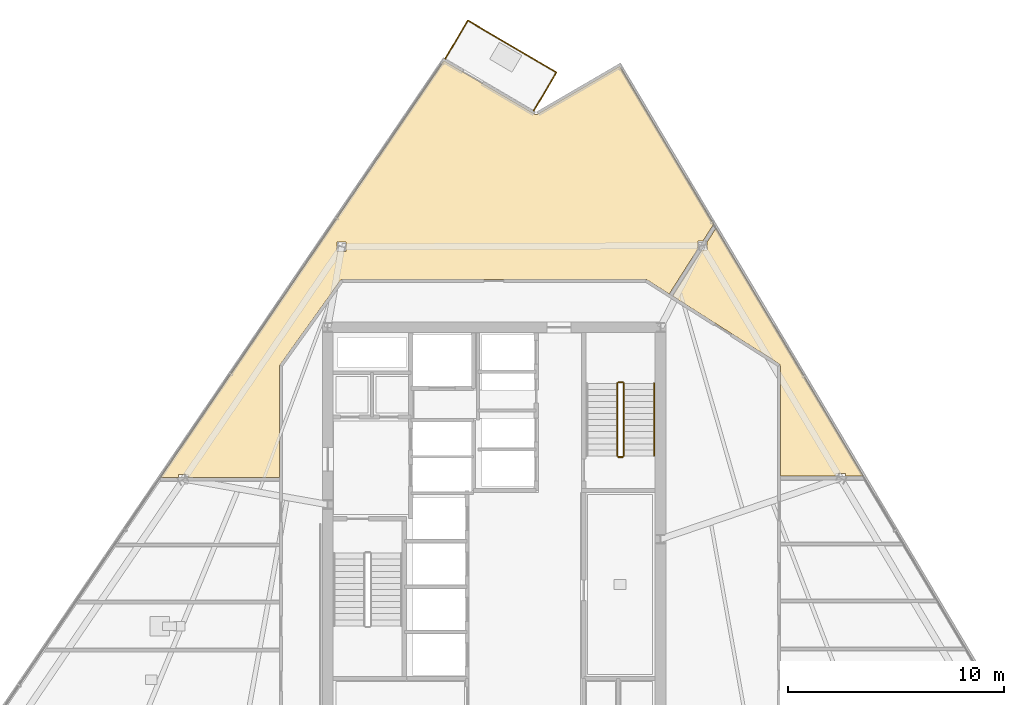
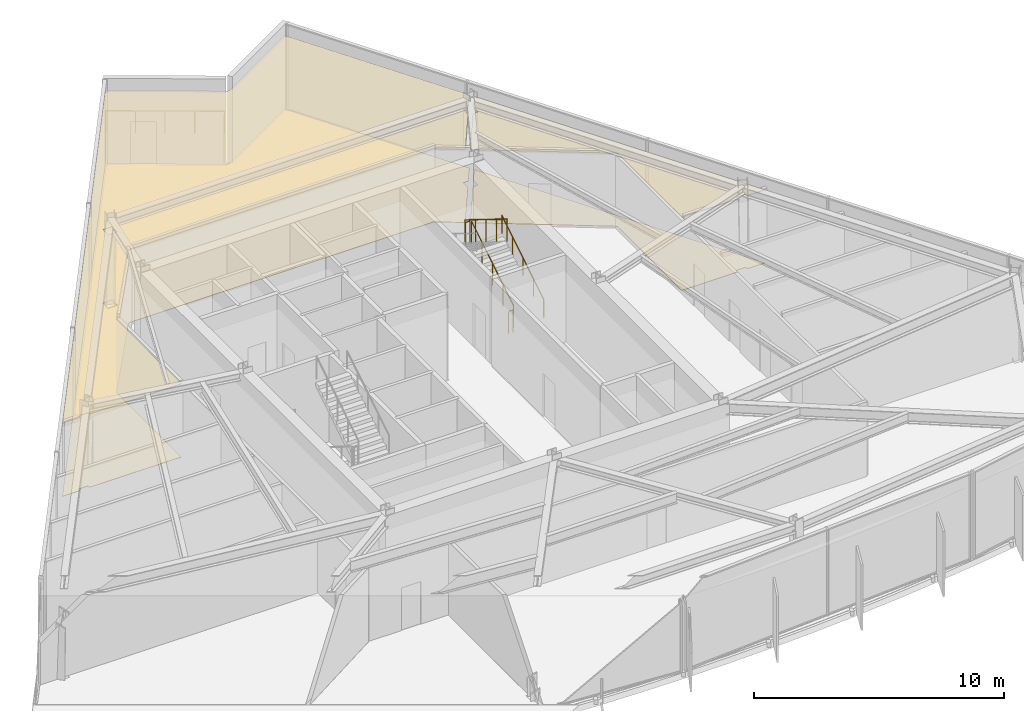
# One storey, part 13 of 14: 8 railings, 4 coverings.
"""IFC4 building model written with IfcOpenShell, lengths in metres."""

from ifc_helpers import new_model, si_unit, direction, frame, origin, origin_2d, place, context, subcontext, project, spatial, polyline, circle, outline, extrude, material, layer, layer_set, type_object, element, save


model = new_model("IFC4")

# Units and contexts
model_context = context("Model", 3, precision=1e-05, world=origin(), true_north=direction((0.0, 1.0)))
body_context = subcontext(model_context, "Body", "Model", "MODEL_VIEW")
ifc_project = project(units=[si_unit("LENGTHUNIT", "METRE"), si_unit("AREAUNIT", "SQUARE_METRE"), si_unit("VOLUMEUNIT", "CUBIC_METRE"), si_unit("PLANEANGLEUNIT", "RADIAN"), si_unit("MASSUNIT", "GRAM", prefix="KILO")], contexts=[model_context])

# Site, building, storey
site_placement = place(None, origin())
site = spatial("IfcSite", under=ifc_project, at=site_placement, CompositionType="ELEMENT")
building_placement = place(site_placement, origin())
building = spatial("IfcBuilding", under=site, at=building_placement, Name="Savorim Split Tower", CompositionType="ELEMENT")
storey_placement = place(building_placement, frame((0.0, 0.0, 134.10009765625)))
storey = spatial("IfcBuildingStorey", under=building, at=storey_placement, Name="L35", CompositionType="ELEMENT", Elevation=134.10009765625)

# Coverings
ifc_material_1 = material(Name="Mineral Fibre Acoustic Ceiling")
ifc_layer_1 = layer(ifc_material_1, 0.02490234375)
ifc_layer_set_1 = layer_set([ifc_layer_1], Name="COV-CEIL-25")
covering_type_1 = type_object("IfcCoveringType", Name="COV-CEIL-25", PredefinedType="CEILING", material=ifc_layer_set_1)
covering_1_placement = place(storey_placement, frame((0.0, 0.0, 3.56982421875)))
element("IfcCovering", 1, at=covering_1_placement, inside=storey, type_object=covering_type_1, Name="L35 Co-Working Commons Acoustic Ceiling", PredefinedType="CEILING", context=body_context, shape_type="SweptSolid", body=[
    extrude(outline(polyline([(16.252197265625, 3.428955078125), (16.252197265625, 3.310546875), (17.08642578125, 3.310546875), (17.088134765625, 3.310546875), (10.264404296875, 14.7861328125), (9.851318359375, 14.13671875), (9.851318359375, 13.766845703125), (9.6162109375, 13.766845703125), (8.264404296875, 11.6416015625), (8.264404296875, 11.6416015625), (13.175048828125, 8.51806640625), (13.1865234375, 8.510009765625), (13.197265625, 8.500732421875), (13.206787109375, 8.490478515625), (13.21533203125, 8.479248046875), (13.22265625, 8.46728515625), (13.22900390625, 8.45458984375), (13.233642578125, 8.44140625), (13.2373046875, 8.427978515625), (13.2392578125, 8.4140625), (13.239990234375, 8.39990234375), (13.239990234375, 3.310546875), (15.828369140625, 3.310546875), (15.828369140625, 3.428955078125), (16.252197265625, 3.428955078125)])), origin(), (0.0, 0.0, 1.0), 0.025146484375),
])
covering_2_placement = place(storey_placement, frame((0.0, 0.0, 3.56982421875)))
element("IfcCovering", 2, at=covering_2_placement, inside=storey, type_object=covering_type_1, Name="L35 Co-Working Commons Acoustic Ceiling", PredefinedType="CEILING", context=body_context, shape_type="SweptSolid", body=[
    extrude(outline(polyline([(1.90380859375, 20.049560546875), (1.89306640625, 20.053955078125), (1.8828125, 20.059326171875), (-2.322021484375, 22.530517578125), (-15.430419921875, 3.26171875), (-14.5927734375, 3.26171875), (-14.5927734375, 3.380126953125), (-14.168701171875, 3.380126953125), (-14.168701171875, 3.26171875), (-9.919921875, 3.26171875), (-9.919921875, 8.39990234375), (-9.919189453125, 8.41455078125), (-9.9169921875, 8.4287109375), (-9.913330078125, 8.44287109375), (-9.908203125, 8.456298828125), (-9.901611328125, 8.46923828125), (-9.893798828125, 8.4814453125), (-7.11376953125, 12.361572265625), (-7.105712890625, 12.3720703125), (-7.096435546875, 12.381591796875), (-7.086181640625, 12.39013671875), (-7.075439453125, 12.39794921875), (-7.06396484375, 12.404541015625), (-7.052001953125, 12.409912109375), (-7.039306640625, 12.414306640625), (-7.0263671875, 12.41748046875), (-7.01318359375, 12.41943359375), (-7.0, 12.419921875), (7.0, 12.419921875), (7.01318359375, 12.41943359375), (7.0263671875, 12.41748046875), (7.0390625, 12.414306640625), (7.051513671875, 12.41015625), (7.063720703125, 12.40478515625), (7.0751953125, 12.398193359375), (8.10400390625, 11.74365234375), (9.42724609375, 13.823974609375), (9.42724609375, 14.19384765625), (9.66259765625, 14.19384765625), (10.099853515625, 14.88134765625), (10.15087890625, 14.96142578125), (10.165771484375, 14.951904296875), (5.81005859375, 22.27734375), (2.00390625, 20.05908203125), (1.993896484375, 20.0537109375), (1.983154296875, 20.049560546875), (1.971923828125, 20.046142578125), (1.960693359375, 20.0439453125), (1.94921875, 20.04296875), (1.9375, 20.04296875), (1.926025390625, 20.044189453125), (1.914794921875, 20.04638671875), (1.90380859375, 20.049560546875)]), holes=[polyline([(-6.845703125, 14.14501953125), (-7.269775390625, 14.14501953125), (-7.269775390625, 13.718017578125), (-6.845703125, 13.718017578125), (-6.845703125, 14.14501953125)])]), origin(), (0.0, 0.0, 1.0), 0.025146484375),
])
ifc_material_2 = material(Name="Porcelain Stoneware Flooring", Category="masonry")
ifc_layer_2 = layer(ifc_material_2, 0.02001953125)
ifc_layer_set_2 = layer_set([ifc_layer_2], Name="COV-FLOR-20")
covering_type_2 = type_object("IfcCoveringType", Name="COV-FLOR-20", PredefinedType="FLOORING", material=ifc_layer_set_2)
covering_3_placement = place(storey_placement, origin())
element("IfcCovering", 3, at=covering_3_placement, inside=storey, type_object=covering_type_2, Name="L35 Co-Working Commons Porcelain Flooring", PredefinedType="FLOORING", context=body_context, shape_type="SweptSolid", body=[
    extrude(outline(polyline([(16.252197265625, 3.428955078125), (16.252197265625, 3.310546875), (17.08642578125, 3.310546875), (17.088134765625, 3.310546875), (10.264404296875, 14.7861328125), (9.851318359375, 14.13671875), (9.851318359375, 13.766845703125), (9.6162109375, 13.766845703125), (8.264404296875, 11.6416015625), (8.264404296875, 11.6416015625), (13.175048828125, 8.51806640625), (13.1865234375, 8.510009765625), (13.197265625, 8.500732421875), (13.206787109375, 8.490478515625), (13.21533203125, 8.479248046875), (13.22265625, 8.46728515625), (13.22900390625, 8.45458984375), (13.233642578125, 8.44140625), (13.2373046875, 8.427978515625), (13.2392578125, 8.4140625), (13.239990234375, 8.39990234375), (13.239990234375, 3.310546875), (15.828369140625, 3.310546875), (15.828369140625, 3.428955078125), (16.252197265625, 3.428955078125)])), origin(), (0.0, 0.0, 1.0), 0.02001953125),
])
covering_4_placement = place(storey_placement, origin())
element("IfcCovering", 4, at=covering_4_placement, inside=storey, type_object=covering_type_2, Name="L35 Co-Working Commons Porcelain Flooring", PredefinedType="FLOORING", context=body_context, shape_type="SweptSolid", body=[
    extrude(outline(polyline([(1.90380859375, 20.049560546875), (1.89306640625, 20.053955078125), (1.8828125, 20.059326171875), (-2.322021484375, 22.530517578125), (-15.430419921875, 3.26171875), (-14.5927734375, 3.26171875), (-14.5927734375, 3.380126953125), (-14.168701171875, 3.380126953125), (-14.168701171875, 3.26171875), (-9.919921875, 3.26171875), (-9.919921875, 8.39990234375), (-9.919189453125, 8.41455078125), (-9.9169921875, 8.4287109375), (-9.913330078125, 8.44287109375), (-9.908203125, 8.456298828125), (-9.901611328125, 8.46923828125), (-9.893798828125, 8.4814453125), (-7.11376953125, 12.361572265625), (-7.105712890625, 12.3720703125), (-7.096435546875, 12.381591796875), (-7.086181640625, 12.39013671875), (-7.075439453125, 12.39794921875), (-7.06396484375, 12.404541015625), (-7.052001953125, 12.409912109375), (-7.039306640625, 12.414306640625), (-7.0263671875, 12.41748046875), (-7.01318359375, 12.41943359375), (-7.0, 12.419921875), (7.0, 12.419921875), (7.01318359375, 12.41943359375), (7.0263671875, 12.41748046875), (7.0390625, 12.414306640625), (7.051513671875, 12.41015625), (7.063720703125, 12.40478515625), (7.0751953125, 12.398193359375), (8.10400390625, 11.74365234375), (9.42724609375, 13.823974609375), (9.42724609375, 14.19384765625), (9.66259765625, 14.19384765625), (10.099853515625, 14.88134765625), (10.15087890625, 14.96142578125), (10.165771484375, 14.951904296875), (5.81005859375, 22.27734375), (2.00390625, 20.05908203125), (1.993896484375, 20.0537109375), (1.983154296875, 20.049560546875), (1.971923828125, 20.046142578125), (1.960693359375, 20.0439453125), (1.94921875, 20.04296875), (1.9375, 20.04296875), (1.926025390625, 20.044189453125), (1.914794921875, 20.04638671875), (1.90380859375, 20.049560546875)]), holes=[polyline([(-6.845703125, 14.14501953125), (-7.269775390625, 14.14501953125), (-7.269775390625, 13.718017578125), (-6.845703125, 13.718017578125), (-6.845703125, 14.14501953125)])]), origin(), (0.0, 0.0, 1.0), 0.02001953125),
])

# Railings
ifc_material_3 = material(Name="Galvanised Painted Steel Balustrade", Category="steel")
railing_type_1 = type_object("IfcRailingType", Name="RLG-BAL-1100", PredefinedType="BALUSTRADE", material=ifc_material_3)
railing_1_placement = place(storey_placement, frame((-2.254638671875, 22.630126953125, 0.0)))
element("IfcRailing", 5, at=railing_1_placement, inside=storey, type_object=railing_type_1, Name="L35 Tree Balcony Guardrail N-1", PredefinedType="BALUSTRADE", context=body_context, shape_type="SweptSolid", body=[
    extrude(circle(Radius=0.02392578125, at=origin_2d()), frame((0.0, 0.0, 1.076171875), z_axis=(0.506681829236, 0.862133124246, 0.0), x_axis=(-0.862133124246, 0.506681829236, 0.0)), (0.0, 0.0, 1.0), 2.05029296875),
    extrude(circle(Radius=0.02099609375, at=origin_2d()), origin(), (0.0, 0.0, 1.0), 1.052001953125),
    extrude(circle(Radius=0.02099609375, at=origin_2d()), frame((0.51953125, 0.8837890625, 0.0)), (0.0, 0.0, 1.0), 1.052001953125),
    extrude(circle(Radius=0.02099609375, at=origin_2d()), frame((1.038818359375, 1.767578125, 0.0)), (0.0, 0.0, 1.0), 1.052001953125),
])
railing_2_placement = place(storey_placement, frame((-1.2158203125, 24.397705078125, 0.0)))
element("IfcRailing", 6, at=railing_2_placement, inside=storey, type_object=railing_type_1, Name="L35 Tree Balcony Guardrail N-2", PredefinedType="BALUSTRADE", context=body_context, shape_type="SweptSolid", body=[
    extrude(circle(Radius=0.02392578125, at=origin_2d()), frame((0.0, 0.0, 1.076171875), z_axis=(0.862111227973, -0.506719084507, 0.0), x_axis=(0.506719084507, 0.862111227973, 0.0)), (0.0, 0.0, 1.0), 4.749755859375),
    extrude(circle(Radius=0.02099609375, at=origin_2d()), origin(), (0.0, 0.0, 1.0), 1.052001953125),
    extrude(circle(Radius=0.02099609375, at=origin_2d()), frame((1.023681640625, -0.6015625, 0.0)), (0.0, 0.0, 1.0), 1.052001953125),
    extrude(circle(Radius=0.02099609375, at=origin_2d()), frame((2.04736328125, -1.203369140625, 0.0)), (0.0, 0.0, 1.0), 1.052001953125),
    extrude(circle(Radius=0.02099609375, at=origin_2d()), frame((3.071044921875, -1.80517578125, 0.0)), (0.0, 0.0, 1.0), 1.052001953125),
    extrude(circle(Radius=0.02099609375, at=origin_2d()), frame((4.0947265625, -2.40673828125, 0.0)), (0.0, 0.0, 1.0), 1.052001953125),
])
railing_3_placement = place(storey_placement, frame((2.87890625, 21.990966796875, 0.0)))
element("IfcRailing", 7, at=railing_3_placement, inside=storey, type_object=railing_type_1, Name="L35 Tree Balcony Guardrail N-3", PredefinedType="BALUSTRADE", context=body_context, shape_type="SweptSolid", body=[
    extrude(circle(Radius=0.02392578125, at=origin_2d()), frame((0.0, 0.0, 1.076171875), z_axis=(-0.506733850669, -0.862102548764, 0.0), x_axis=(0.862102548764, -0.506733850669, 0.0)), (0.0, 0.0, 1.0), 2.050048828125),
    extrude(circle(Radius=0.02099609375, at=origin_2d()), origin(), (0.0, 0.0, 1.0), 1.052001953125),
    extrude(circle(Radius=0.02099609375, at=origin_2d()), frame((-0.51953125, -0.8837890625, 0.0)), (0.0, 0.0, 1.0), 1.052001953125),
    extrude(circle(Radius=0.02099609375, at=origin_2d()), frame((-1.038818359375, -1.767333984375, 0.0)), (0.0, 0.0, 1.0), 1.052001953125),
])
railing_type_2 = type_object("IfcRailingType", Name="RLG-HR-900", PredefinedType="HANDRAIL", material=ifc_material_3)
railing_4_placement = place(storey_placement, frame((7.39990234375, 4.25, 0.173095703125)))
element("IfcRailing", 8, at=railing_4_placement, inside=storey, type_object=railing_type_2, Name="L35 ST-2 stair handrail 1", PredefinedType="HANDRAIL", context=body_context, shape_type="SweptSolid", body=[
    extrude(circle(Radius=0.02392578125, at=origin_2d()), frame((0.0, 0.0, 0.8759765625), z_axis=(0.0, 0.850623216509, 0.525775754039), x_axis=(-1.0, 0.0, 0.0)), (0.0, 0.0, 1.0), 3.9501953125),
    extrude(circle(Radius=0.02099609375, at=origin_2d()), origin(), (0.0, 0.0, 1.0), 0.851806640625),
    extrude(circle(Radius=0.02099609375, at=origin_2d()), frame((0.0, 0.840087890625, 0.519287109375)), (0.0, 0.0, 1.0), 0.851806640625),
    extrude(circle(Radius=0.02099609375, at=origin_2d()), frame((0.0, 1.68017578125, 1.03857421875)), (0.0, 0.0, 1.0), 0.851806640625),
    extrude(circle(Radius=0.02099609375, at=origin_2d()), frame((0.0, 2.52001953125, 1.5576171875)), (0.0, 0.0, 1.0), 0.851806640625),
    extrude(circle(Radius=0.02099609375, at=origin_2d()), frame((0.0, 3.360107421875, 2.076904296875)), (0.0, 0.0, 1.0), 0.851806640625),
])
railing_type_3 = type_object("IfcRailingType", Name="RLG-STG-1100", PredefinedType="BALUSTRADE", material=ifc_material_3)
railing_5_placement = place(storey_placement, frame((6.0, 4.25, 0.173095703125)))
element("IfcRailing", 9, at=railing_5_placement, inside=storey, type_object=railing_type_3, Name="L35 ST-2 stair guard 1", PredefinedType="BALUSTRADE", context=body_context, shape_type="SweptSolid", body=[
    extrude(circle(Radius=0.02392578125, at=origin_2d()), frame((0.0, 0.0, 1.076171875), z_axis=(0.0, 0.850623216509, 0.525775754039), x_axis=(-1.0, 0.0, 0.0)), (0.0, 0.0, 1.0), 3.9501953125),
    extrude(circle(Radius=0.02099609375, at=origin_2d()), origin(), (0.0, 0.0, 1.0), 1.052001953125),
    extrude(circle(Radius=0.02099609375, at=origin_2d()), frame((0.0, 0.840087890625, 0.519287109375)), (0.0, 0.0, 1.0), 1.052001953125),
    extrude(circle(Radius=0.02099609375, at=origin_2d()), frame((0.0, 1.68017578125, 1.03857421875)), (0.0, 0.0, 1.0), 1.052001953125),
    extrude(circle(Radius=0.02099609375, at=origin_2d()), frame((0.0, 2.52001953125, 1.5576171875)), (0.0, 0.0, 1.0), 1.052001953125),
    extrude(circle(Radius=0.02099609375, at=origin_2d()), frame((0.0, 3.360107421875, 2.076904296875)), (0.0, 0.0, 1.0), 1.052001953125),
])
railing_6_placement = place(storey_placement, frame((5.949951171875, 7.659912109375, 2.25)))
element("IfcRailing", 10, at=railing_6_placement, inside=storey, type_object=railing_type_3, Name="L35 ST-2 stair guard 2", PredefinedType="BALUSTRADE", context=body_context, shape_type="SweptSolid", body=[
    extrude(circle(Radius=0.02392578125, at=origin_2d()), frame((0.0, 0.0, 1.076171875), z_axis=(-1.0, 0.0, 0.0), x_axis=(0.0, -1.0, 0.0)), (0.0, 0.0, 1.0), 0.199951171875),
    extrude(circle(Radius=0.02099609375, at=origin_2d()), origin(), (0.0, 0.0, 1.0), 1.052001953125),
    extrude(circle(Radius=0.02099609375, at=origin_2d()), frame((-0.199951171875, 0.0, 0.0)), (0.0, 0.0, 1.0), 1.052001953125),
])
railing_7_placement = place(storey_placement, frame((5.699951171875, 7.610107421875, 2.423095703125)))
element("IfcRailing", 11, at=railing_7_placement, inside=storey, type_object=railing_type_3, Name="L35 ST-2 stair guard 3", PredefinedType="BALUSTRADE", context=body_context, shape_type="SweptSolid", body=[
    extrude(circle(Radius=0.02392578125, at=origin_2d()), frame((0.0, 0.0, 1.076171875), z_axis=(0.0, -0.850623216509, 0.525775754039), x_axis=(1.0, 0.0, 0.0)), (0.0, 0.0, 1.0), 3.9501953125),
    extrude(circle(Radius=0.02099609375, at=origin_2d()), origin(), (0.0, 0.0, 1.0), 1.052001953125),
    extrude(circle(Radius=0.02099609375, at=origin_2d()), frame((0.0, -0.840087890625, 0.519287109375)), (0.0, 0.0, 1.0), 1.052001953125),
    extrude(circle(Radius=0.02099609375, at=origin_2d()), frame((0.0, -1.68017578125, 1.03857421875)), (0.0, 0.0, 1.0), 1.052001953125),
    extrude(circle(Radius=0.02099609375, at=origin_2d()), frame((0.0, -2.52001953125, 1.5576171875)), (0.0, 0.0, 1.0), 1.052001953125),
    extrude(circle(Radius=0.02099609375, at=origin_2d()), frame((0.0, -3.360107421875, 2.076904296875)), (0.0, 0.0, 1.0), 1.052001953125),
])
railing_8_placement = place(storey_placement, frame((5.949951171875, 4.199951171875, 0.0)))
element("IfcRailing", 12, at=railing_8_placement, inside=storey, type_object=railing_type_3, Name="L35 ST-2 stair guard 4", PredefinedType="BALUSTRADE", context=body_context, shape_type="SweptSolid", body=[
    extrude(circle(Radius=0.02392578125, at=origin_2d()), frame((0.0, 0.0, 1.076171875), z_axis=(-1.0, 0.0, 0.0), x_axis=(0.0, -1.0, 0.0)), (0.0, 0.0, 1.0), 0.199951171875),
    extrude(circle(Radius=0.02099609375, at=origin_2d()), origin(), (0.0, 0.0, 1.0), 1.052001953125),
    extrude(circle(Radius=0.02099609375, at=origin_2d()), frame((-0.199951171875, 0.0, 0.0)), (0.0, 0.0, 1.0), 1.052001953125),
])

save(model, "model.ifc")
